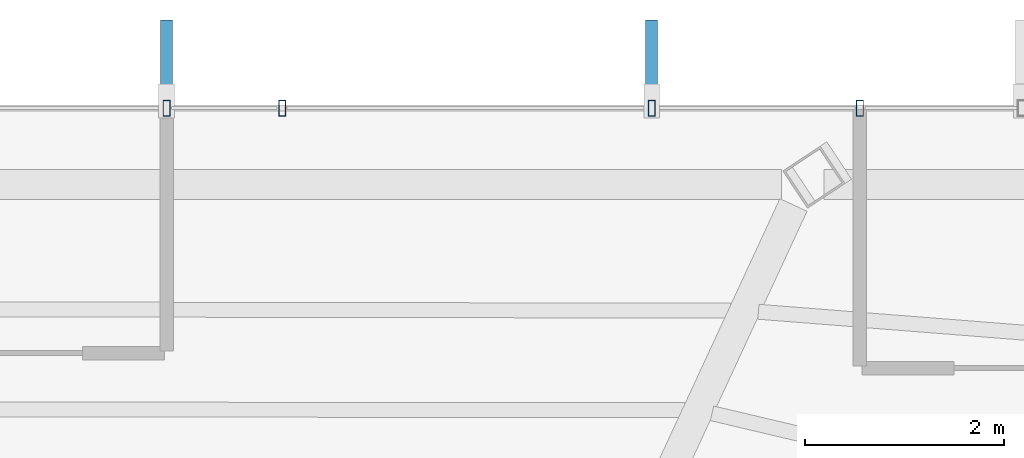
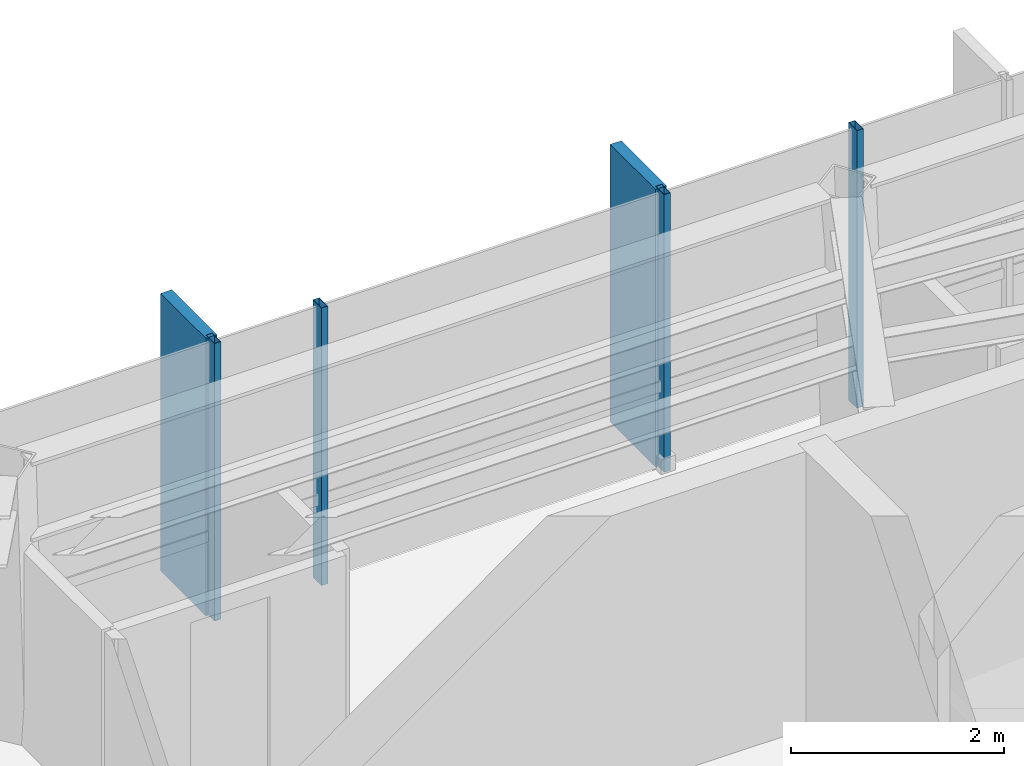
# One storey, part 12 of 21: 6 members, 1 element without a shape of its own.
"""IFC4 building model written with IfcOpenShell, lengths in metres."""

from ifc_helpers import new_model, si_unit, direction, frame, origin, origin_2d, place, context, subcontext, project, spatial, rectangle, hollow_rectangle, extrude, material, layer, layer_set, material_profile, profile_set, type_object, element, aggregate, save


model = new_model("IFC4")

# Units and contexts
model_context = context("Model", 3, precision=1e-05, world=origin(), true_north=direction((0.0, 1.0)))
body_context = subcontext(model_context, "Body", "Model", "MODEL_VIEW")
ifc_project = project(units=[si_unit("LENGTHUNIT", "METRE"), si_unit("AREAUNIT", "SQUARE_METRE"), si_unit("VOLUMEUNIT", "CUBIC_METRE"), si_unit("PLANEANGLEUNIT", "RADIAN"), si_unit("MASSUNIT", "GRAM", prefix="KILO")], contexts=[model_context])

# Site, building, storey
site_placement = place(None, origin())
site = spatial("IfcSite", under=ifc_project, at=site_placement, CompositionType="ELEMENT")
building_placement = place(site_placement, origin())
building = spatial("IfcBuilding", under=site, at=building_placement, Name="Zarrinselat Tower", CompositionType="ELEMENT")
storey_placement = place(building_placement, frame((0.0, 0.0, 285.60009765625)))
storey = spatial("IfcBuildingStorey", under=building, at=storey_placement, Name="L73", CompositionType="ELEMENT", Elevation=285.60009765625)

# Curtain wall, members
ifc_material_1 = material(Name="Extruded Aluminium Alloy EN AW-6063 T6", Category="aluminium")
ifc_layer = layer(ifc_material_1, 0.169921875)
ifc_layer_set = layer_set([ifc_layer], Name="Extruded Aluminium Alloy EN AW-6063 T6")
curtain_wall_type = type_object("IfcCurtainWallType", Name="CWS-RES", PredefinedType="NOTDEFINED", material=ifc_layer_set)
curtain_wall_placement = place(storey_placement, origin())
curtain_wall = element("IfcCurtainWall", 1, at=curtain_wall_placement, inside=storey, type_object=curtain_wall_type, Name="L73 Unitised Curtain Wall CW-L73-E01", PredefinedType="NOTDEFINED")
ifc_material_2 = material(Name="Extruded Aluminium Alloy EN AW-6063 T6", Category="aluminium")
ifc_material_profile_1 = material_profile(ifc_material_2, hollow_rectangle(XDim=0.070068359375, YDim=0.159912109375, WallThickness=0.00390625, at=origin_2d()), Name="RHS 160x70x4")
ifc_profile_set_1 = profile_set([ifc_material_profile_1], Name="Extruded Aluminium Alloy EN AW-6063 T6")
member_type_1 = type_object("IfcMemberType", Name="MEM-CW-MUL2", PredefinedType="MULLION", material=ifc_profile_set_1)
member_1_placement = place(storey_placement, frame((47.91259765625, 47.63330078125, 0.0), z_axis=(0.0, 0.0, 1.0), x_axis=(-1.0, 0.0, 0.0)))
member_1 = element("IfcMember", 2, at=member_1_placement, type_object=member_type_1, Name="CW-L73-E01 Mullion 4", PredefinedType="MULLION", context=body_context, shape_type="SweptSolid", body=[
    extrude(hollow_rectangle(XDim=0.070068359375, YDim=0.159912109375, WallThickness=0.00390625, at=origin_2d()), origin(), (0.0, 0.0, 1.0), 3.179931640625),
])
member_2_placement = place(storey_placement, frame((45.82177734375, 47.63330078125, 0.0), z_axis=(0.0, 0.0, 1.0), x_axis=(-1.0, 0.0, 0.0)))
member_2 = element("IfcMember", 3, at=member_2_placement, type_object=member_type_1, Name="CW-L73-E01 Mullion 5", PredefinedType="MULLION", context=body_context, shape_type="SweptSolid", body=[
    extrude(hollow_rectangle(XDim=0.070068359375, YDim=0.159912109375, WallThickness=0.00390625, at=origin_2d()), origin(), (0.0, 0.0, 1.0), 3.179931640625),
])
member_3_placement = place(storey_placement, frame((42.1103515625, 47.63330078125, 0.0), z_axis=(0.0, 0.0, 1.0), x_axis=(-1.0, 0.0, 0.0)))
member_3 = element("IfcMember", 4, at=member_3_placement, type_object=member_type_1, Name="CW-L73-E01 Mullion 6", PredefinedType="MULLION", context=body_context, shape_type="SweptSolid", body=[
    extrude(hollow_rectangle(XDim=0.070068359375, YDim=0.159912109375, WallThickness=0.00390625, at=origin_2d()), origin(), (0.0, 0.0, 1.0), 3.179931640625),
])
member_4_placement = place(storey_placement, frame((40.949951171875, 47.63330078125, 0.0), z_axis=(0.0, 0.0, 1.0), x_axis=(-1.0, 0.0, 0.0)))
member_4 = element("IfcMember", 5, at=member_4_placement, type_object=member_type_1, Name="CW-L73-E01 Mullion 7", PredefinedType="MULLION", context=body_context, shape_type="SweptSolid", body=[
    extrude(hollow_rectangle(XDim=0.070068359375, YDim=0.159912109375, WallThickness=0.00390625, at=origin_2d()), origin(), (0.0, 0.0, 1.0), 3.179931640625),
])
ifc_material_3 = material(Name="Honed Cream Travertine Stone", Category="masonry")
ifc_material_profile_2 = material_profile(ifc_material_3, rectangle(XDim=0.1201171875, YDim=0.85009765625, at=origin_2d()), Name="FIN 850x120")
ifc_profile_set_2 = profile_set([ifc_material_profile_2], Name="Honed Cream Travertine Stone")
member_type_2 = type_object("IfcMemberType", Name="MEM-STONE-FIN", PredefinedType="USERDEFINED", material=ifc_profile_set_2)
member_5_placement = place(storey_placement, frame((45.82177734375, 48.09326171875, 0.0), z_axis=(0.0, 0.0, 1.0), x_axis=(1.0, 0.0, 0.0)))
member_5 = element("IfcMember", 6, at=member_5_placement, type_object=member_type_2, Name="L73 Stone Shading Fin CW-L73-E01-05", ObjectType="FIN", PredefinedType="USERDEFINED", context=body_context, shape_type="SweptSolid", body=[
    extrude(rectangle(XDim=0.1201171875, YDim=0.85009765625, at=origin_2d()), origin(), (0.0, 0.0, 1.0), 3.179931640625),
])
member_6_placement = place(storey_placement, frame((40.949951171875, 48.09326171875, 0.0), z_axis=(0.0, 0.0, 1.0), x_axis=(1.0, 0.0, 0.0)))
member_6 = element("IfcMember", 7, at=member_6_placement, type_object=member_type_2, Name="L73 Stone Shading Fin CW-L73-E01-07", ObjectType="FIN", PredefinedType="USERDEFINED", context=body_context, shape_type="SweptSolid", body=[
    extrude(rectangle(XDim=0.1201171875, YDim=0.85009765625, at=origin_2d()), origin(), (0.0, 0.0, 1.0), 3.179931640625),
])
aggregate(curtain_wall, [member_1, member_2, member_5, member_3, member_4, member_6])

save(model, "model.ifc")
